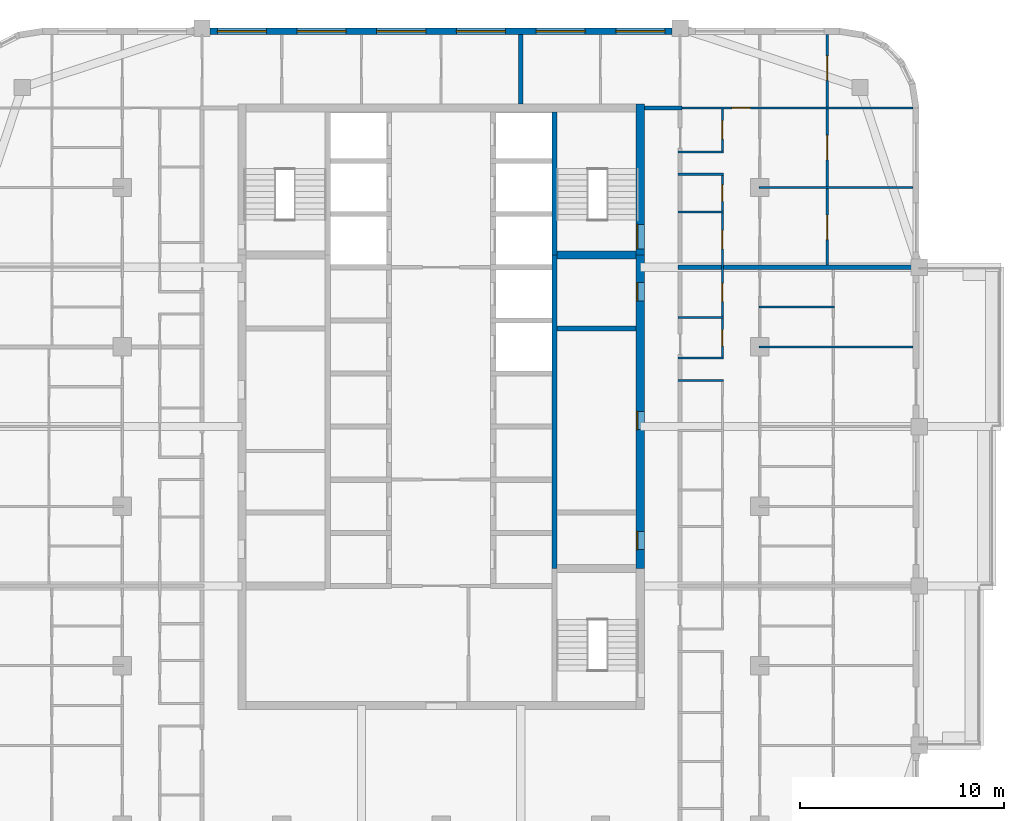
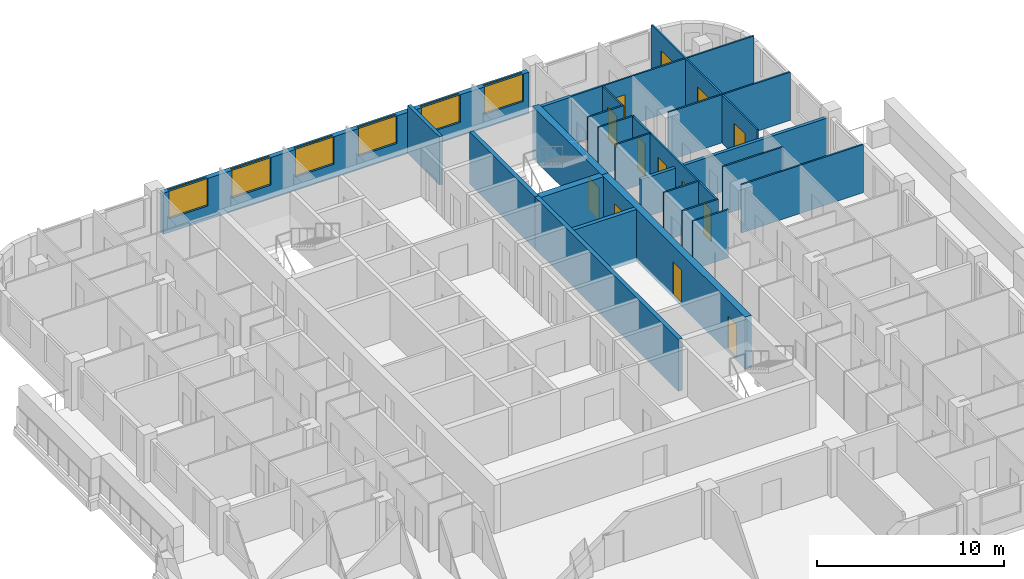
# One storey, part 11 of 17: 23 walls, 13 doors, 6 windows, 19 openings.
"""IFC4 building model written with IfcOpenShell, lengths in metres."""

from ifc_helpers import new_model, si_unit, direction, frame, frame_2d, origin, place, context, subcontext, project, spatial, rectangle, extrude, material, layer, layer_set, type_object, element, fill, save


model = new_model("IFC4")

# Units and contexts
model_context = context("Model", 3, precision=1e-05, world=origin(), true_north=direction((0.0, 1.0)))
body_context = subcontext(model_context, "Body", "Model", "MODEL_VIEW")
ifc_project = project(units=[si_unit("LENGTHUNIT", "METRE"), si_unit("AREAUNIT", "SQUARE_METRE"), si_unit("VOLUMEUNIT", "CUBIC_METRE"), si_unit("PLANEANGLEUNIT", "RADIAN"), si_unit("MASSUNIT", "GRAM", prefix="KILO")], contexts=[model_context])

# Site, building, storey
site_placement = place(None, origin())
site = spatial("IfcSite", under=ifc_project, at=site_placement, CompositionType="ELEMENT")
building_placement = place(site_placement, origin())
building = spatial("IfcBuilding", under=site, at=building_placement, Name="Ludao Terraces", CompositionType="ELEMENT")
storey_placement = place(building_placement, frame((0.0, 0.0, 231.300048828125)))
storey = spatial("IfcBuildingStorey", under=building, at=storey_placement, Name="L63", CompositionType="ELEMENT", Elevation=231.300048828125)

# Wall, openings, doors
ifc_material_1 = material(Name="Concrete C50", Category="concrete")
ifc_layer_1 = layer(ifc_material_1, 0.39990234375)
ifc_layer_set_1 = layer_set([ifc_layer_1], Name="Core wall 400 C50")
wall_type_1 = type_object("IfcWallType", Name="Core wall 400 C50", PredefinedType="SOLIDWALL", material=ifc_layer_set_1)
wall_1_placement = place(storey_placement, frame((94.75, 61.949951171875, -0.25), z_axis=(0.0, 0.0, 1.0), x_axis=(0.0, 1.0, 0.0)))
wall_1 = element("IfcWall", 1, at=wall_1_placement, inside=storey, type_object=wall_type_1, Name="Core wall L63 outer-E", PredefinedType="SOLIDWALL", context=body_context, shape_type="SweptSolid", body=[
    extrude(rectangle(XDim=15.35009765625, YDim=0.39990234375, at=frame_2d((7.675048828125, 0.0))), origin(), (0.0, 0.0, 1.0), 3.39990234375),
])
opening_1_placement = place(wall_1_placement, frame((0.925048828125, 0.0, 0.25)))
opening_1 = element("IfcOpeningElement", 2, at=opening_1_placement, cuts=wall_1, Name="Opening R22-055", PredefinedType="OPENING", context=body_context, shape_type="SweptSolid", body=[
    extrude(rectangle(XDim=0.89990234375, YDim=2.10009765625, at=frame_2d((0.449951171875, 1.050048828125))), frame((0.0, 0.2099609375, 0.0), z_axis=(0.0, -1.0, 0.0), x_axis=(1.0, 0.0, 0.0)), (0.0, 0.0, 1.0), 0.419921875),
])
opening_2_placement = place(wall_1_placement, frame((6.800048828125, 0.0, 0.25)))
opening_2 = element("IfcOpeningElement", 3, at=opening_2_placement, cuts=wall_1, Name="Opening R22-076", PredefinedType="OPENING", context=body_context, shape_type="SweptSolid", body=[
    extrude(rectangle(XDim=0.89990234375, YDim=2.10009765625, at=frame_2d((0.449951171875, 1.050048828125))), frame((0.0, 0.2099609375, 0.0), z_axis=(0.0, -1.0, 0.0), x_axis=(1.0, 0.0, 0.0)), (0.0, 0.0, 1.0), 0.419921875),
])
opening_3_placement = place(wall_1_placement, frame((13.10009765625, 0.0, 0.25)))
opening_3 = element("IfcOpeningElement", 4, at=opening_3_placement, cuts=wall_1, Name="Opening R22-098", PredefinedType="OPENING", context=body_context, shape_type="SweptSolid", body=[
    extrude(rectangle(XDim=0.89990234375, YDim=2.10009765625, at=frame_2d((0.449951171875, 1.050048828125))), frame((0.0, 0.2099609375, 0.0), z_axis=(0.0, -1.0, 0.0), x_axis=(1.0, 0.0, 0.0)), (0.0, 0.0, 1.0), 0.419921875),
])
ifc_material_2 = material(Name="Steel Q235", Category="steel")
door_type_1 = type_object("IfcDoorType", Name="INT Riser door 900", OperationType="SINGLE_SWING_LEFT", PredefinedType="DOOR", material=ifc_material_2)
door_1_placement = place(opening_1_placement, origin())
door_1 = element("IfcDoor", 5, at=door_1_placement, inside=storey, type_object=door_type_1, Name="DOOR 055", OperationType="SINGLE_SWING_LEFT", OverallHeight=2.10009765625, OverallWidth=0.89990234375, PredefinedType="DOOR", context=body_context, shape_type="SweptSolid", body=[
    extrude(rectangle(XDim=0.89990234375, YDim=2.10009765625, at=frame_2d((0.449951171875, 1.050048828125))), frame((0.0, 0.18505859375, 0.0), z_axis=(0.0, -1.0, 0.0), x_axis=(1.0, 0.0, 0.0)), (0.0, 0.0, 1.0), 0.050048828125),
])
fill(opening_1, door_1)
door_2_placement = place(opening_3_placement, origin())
door_2 = element("IfcDoor", 6, at=door_2_placement, inside=storey, type_object=door_type_1, Name="DOOR 098", OperationType="SINGLE_SWING_RIGHT", OverallHeight=2.10009765625, OverallWidth=0.89990234375, PredefinedType="DOOR", context=body_context, shape_type="SweptSolid", body=[
    extrude(rectangle(XDim=0.89990234375, YDim=2.10009765625, at=frame_2d((0.449951171875, 1.050048828125))), frame((0.0, 0.18505859375, 0.0), z_axis=(0.0, -1.0, 0.0), x_axis=(1.0, 0.0, 0.0)), (0.0, 0.0, 1.0), 0.050048828125),
])
fill(opening_3, door_2)
ifc_material_3 = material(Name="Timber door leaf", Category="wood")
door_type_2 = type_object("IfcDoorType", Name="INT Room door 900", OperationType="SINGLE_SWING_LEFT", PredefinedType="DOOR", material=ifc_material_3)
door_3_placement = place(opening_2_placement, origin())
door_3 = element("IfcDoor", 7, at=door_3_placement, inside=storey, type_object=door_type_2, Name="DOOR 076", OperationType="SINGLE_SWING_LEFT", OverallHeight=2.10009765625, OverallWidth=0.89990234375, PredefinedType="DOOR", context=body_context, shape_type="SweptSolid", body=[
    extrude(rectangle(XDim=0.89990234375, YDim=2.10009765625, at=frame_2d((0.449951171875, 1.050048828125))), frame((0.0, 0.18505859375, 0.0), z_axis=(0.0, -1.0, 0.0), x_axis=(1.0, 0.0, 0.0)), (0.0, 0.0, 1.0), 0.050048828125),
])
fill(opening_2, door_3)

# Wall, opening, door
wall_2_placement = place(storey_placement, frame((94.75, 77.300048828125, -0.25), z_axis=(0.0, 0.0, 1.0), x_axis=(0.0, 1.0, 0.0)))
wall_2 = element("IfcWall", 8, at=wall_2_placement, inside=storey, type_object=wall_type_1, Name="Core wall L63 outer-E-S2", PredefinedType="SOLIDWALL", context=body_context, shape_type="SweptSolid", body=[
    extrude(rectangle(XDim=7.39990234375, YDim=0.39990234375, at=frame_2d((3.699951171875, 0.0))), origin(), (0.0, 0.0, 1.0), 3.39990234375),
])
opening_4_placement = place(wall_2_placement, frame((0.300048828125, 0.0, 0.25)))
opening_4 = element("IfcOpeningElement", 9, at=opening_4_placement, cuts=wall_2, Name="Opening R22-110", PredefinedType="OPENING", context=body_context, shape_type="SweptSolid", body=[
    extrude(rectangle(XDim=1.199951171875, YDim=2.10009765625, at=frame_2d((0.60009765625, 1.050048828125))), frame((0.0, 0.2099609375, 0.0), z_axis=(0.0, -1.0, 0.0), x_axis=(1.0, 0.0, 0.0)), (0.0, 0.0, 1.0), 0.419921875),
])
door_type_3 = type_object("IfcDoorType", Name="INT Stair door 1200", OperationType="DOUBLE_DOOR_SINGLE_SWING", PredefinedType="DOOR", material=ifc_material_2)
door_4_placement = place(opening_4_placement, origin())
door_4 = element("IfcDoor", 10, at=door_4_placement, inside=storey, type_object=door_type_3, Name="DOOR 110", OperationType="DOUBLE_DOOR_SINGLE_SWING", OverallHeight=2.10009765625, OverallWidth=1.199951171875, PredefinedType="DOOR", context=body_context, shape_type="SweptSolid", body=[
    extrude(rectangle(XDim=1.199951171875, YDim=2.10009765625, at=frame_2d((0.60009765625, 1.050048828125))), frame((0.0, 0.18505859375, 0.0), z_axis=(0.0, -1.0, 0.0), x_axis=(1.0, 0.0, 0.0)), (0.0, 0.0, 1.0), 0.050048828125),
])
fill(opening_4, door_4)

# Wall, openings, windows
ifc_material_4 = material(Name="Granite cladding", Category="masonry")
ifc_layer_2 = layer(ifc_material_4, 0.0400390625, Category="stone")
ifc_material_5 = material(Name="Mineral wool")
ifc_layer_3 = layer(ifc_material_5, 0.06005859375)
ifc_material_6 = material(Name="Concrete C40", Category="concrete")
ifc_layer_4 = layer(ifc_material_6, 0.199951171875, Category="concrete")
ifc_layer_set_2 = layer_set([ifc_layer_2, ifc_layer_3, ifc_layer_4], Name="ENV Stone-clad wall 300")
wall_type_2 = type_object("IfcWallType", Name="ENV Stone-clad wall 300", PredefinedType="SOLIDWALL", material=ifc_layer_set_2)
wall_3_placement = place(storey_placement, frame((73.699951171875, 88.25, 0.0), z_axis=(0.0, 0.0, 1.0), x_axis=(1.0, 0.0, 0.0)))
wall_3 = element("IfcWall", 11, at=wall_3_placement, inside=storey, type_object=wall_type_2, Name="EW-L63-N2", PredefinedType="SOLIDWALL", context=body_context, shape_type="SweptSolid", body=[
    extrude(rectangle(XDim=22.60009765625, YDim=0.300048828125, at=frame_2d((11.300048828125, 0.0))), origin(), (0.0, 0.0, 1.0), 2.699951171875),
])
opening_5_placement = place(wall_3_placement, frame((0.35009765625, 0.0, 0.89990234375)))
opening_5 = element("IfcOpeningElement", 12, at=opening_5_placement, cuts=wall_3, Name="Opening W1", PredefinedType="OPENING", context=body_context, shape_type="SweptSolid", body=[
    extrude(rectangle(XDim=2.39990234375, YDim=1.800048828125, at=frame_2d((1.199951171875, 0.89990234375))), frame((0.0, 0.16015625, 0.0), z_axis=(0.0, -1.0, 0.0), x_axis=(1.0, 0.0, 0.0)), (0.0, 0.0, 1.0), 0.320068359375),
])
opening_6_placement = place(wall_3_placement, frame((4.25, 0.0, 0.89990234375)))
opening_6 = element("IfcOpeningElement", 13, at=opening_6_placement, cuts=wall_3, Name="Opening W1", PredefinedType="OPENING", context=body_context, shape_type="SweptSolid", body=[
    extrude(rectangle(XDim=2.39990234375, YDim=1.800048828125, at=frame_2d((1.199951171875, 0.89990234375))), frame((0.0, 0.16015625, 0.0), z_axis=(0.0, -1.0, 0.0), x_axis=(1.0, 0.0, 0.0)), (0.0, 0.0, 1.0), 0.320068359375),
])
opening_7_placement = place(wall_3_placement, frame((8.14990234375, 0.0, 0.89990234375)))
opening_7 = element("IfcOpeningElement", 14, at=opening_7_placement, cuts=wall_3, Name="Opening W1", PredefinedType="OPENING", context=body_context, shape_type="SweptSolid", body=[
    extrude(rectangle(XDim=2.39990234375, YDim=1.800048828125, at=frame_2d((1.199951171875, 0.89990234375))), frame((0.0, 0.16015625, 0.0), z_axis=(0.0, -1.0, 0.0), x_axis=(1.0, 0.0, 0.0)), (0.0, 0.0, 1.0), 0.320068359375),
])
opening_8_placement = place(wall_3_placement, frame((12.050048828125, 0.0, 0.89990234375)))
opening_8 = element("IfcOpeningElement", 15, at=opening_8_placement, cuts=wall_3, Name="Opening W1", PredefinedType="OPENING", context=body_context, shape_type="SweptSolid", body=[
    extrude(rectangle(XDim=2.39990234375, YDim=1.800048828125, at=frame_2d((1.199951171875, 0.89990234375))), frame((0.0, 0.16015625, 0.0), z_axis=(0.0, -1.0, 0.0), x_axis=(1.0, 0.0, 0.0)), (0.0, 0.0, 1.0), 0.320068359375),
])
opening_9_placement = place(wall_3_placement, frame((15.949951171875, 0.0, 0.89990234375)))
opening_9 = element("IfcOpeningElement", 16, at=opening_9_placement, cuts=wall_3, Name="Opening W1", PredefinedType="OPENING", context=body_context, shape_type="SweptSolid", body=[
    extrude(rectangle(XDim=2.39990234375, YDim=1.800048828125, at=frame_2d((1.199951171875, 0.89990234375))), frame((0.0, 0.16015625, 0.0), z_axis=(0.0, -1.0, 0.0), x_axis=(1.0, 0.0, 0.0)), (0.0, 0.0, 1.0), 0.320068359375),
])
opening_10_placement = place(wall_3_placement, frame((19.85009765625, 0.0, 0.89990234375)))
opening_10 = element("IfcOpeningElement", 17, at=opening_10_placement, cuts=wall_3, Name="Opening W1", PredefinedType="OPENING", context=body_context, shape_type="SweptSolid", body=[
    extrude(rectangle(XDim=2.39990234375, YDim=1.800048828125, at=frame_2d((1.199951171875, 0.89990234375))), frame((0.0, 0.16015625, 0.0), z_axis=(0.0, -1.0, 0.0), x_axis=(1.0, 0.0, 0.0)), (0.0, 0.0, 1.0), 0.320068359375),
])
ifc_material_7 = material(Name="Clear glass in aluminium frame", Category="aluminium")
ifc_layer_5 = layer(ifc_material_7, 0.06005859375)
ifc_layer_set_3 = layer_set([ifc_layer_5], Name="ENV Window W1 2400x1800")
window_type = type_object("IfcWindowType", Name="ENV Window W1 2400x1800", PartitioningType="DOUBLE_PANEL_VERTICAL", PredefinedType="WINDOW", material=ifc_layer_set_3)
window_1_placement = place(opening_5_placement, origin())
window_1 = element("IfcWindow", 18, at=window_1_placement, inside=storey, type_object=window_type, Name="W-L63-N2-1", OverallHeight=1.800048828125, OverallWidth=2.39990234375, PartitioningType="DOUBLE_PANEL_VERTICAL", PredefinedType="WINDOW", context=body_context, shape_type="SweptSolid", body=[
    extrude(rectangle(XDim=2.39990234375, YDim=1.800048828125, at=frame_2d((1.199951171875, 0.89990234375))), frame((0.0, 0.030029296875, 0.0), z_axis=(0.0, -1.0, 0.0), x_axis=(1.0, 0.0, 0.0)), (0.0, 0.0, 1.0), 0.06005859375),
])
fill(opening_5, window_1)
window_2_placement = place(opening_6_placement, origin())
window_2 = element("IfcWindow", 19, at=window_2_placement, inside=storey, type_object=window_type, Name="W-L63-N2-2", OverallHeight=1.800048828125, OverallWidth=2.39990234375, PartitioningType="DOUBLE_PANEL_VERTICAL", PredefinedType="WINDOW", context=body_context, shape_type="SweptSolid", body=[
    extrude(rectangle(XDim=2.39990234375, YDim=1.800048828125, at=frame_2d((1.199951171875, 0.89990234375))), frame((0.0, 0.030029296875, 0.0), z_axis=(0.0, -1.0, 0.0), x_axis=(1.0, 0.0, 0.0)), (0.0, 0.0, 1.0), 0.06005859375),
])
fill(opening_6, window_2)
window_3_placement = place(opening_7_placement, origin())
window_3 = element("IfcWindow", 20, at=window_3_placement, inside=storey, type_object=window_type, Name="W-L63-N2-3", OverallHeight=1.800048828125, OverallWidth=2.39990234375, PartitioningType="DOUBLE_PANEL_VERTICAL", PredefinedType="WINDOW", context=body_context, shape_type="SweptSolid", body=[
    extrude(rectangle(XDim=2.39990234375, YDim=1.800048828125, at=frame_2d((1.199951171875, 0.89990234375))), frame((0.0, 0.030029296875, 0.0), z_axis=(0.0, -1.0, 0.0), x_axis=(1.0, 0.0, 0.0)), (0.0, 0.0, 1.0), 0.06005859375),
])
fill(opening_7, window_3)
window_4_placement = place(opening_8_placement, origin())
window_4 = element("IfcWindow", 21, at=window_4_placement, inside=storey, type_object=window_type, Name="W-L63-N2-4", OverallHeight=1.800048828125, OverallWidth=2.39990234375, PartitioningType="DOUBLE_PANEL_VERTICAL", PredefinedType="WINDOW", context=body_context, shape_type="SweptSolid", body=[
    extrude(rectangle(XDim=2.39990234375, YDim=1.800048828125, at=frame_2d((1.199951171875, 0.89990234375))), frame((0.0, 0.030029296875, 0.0), z_axis=(0.0, -1.0, 0.0), x_axis=(1.0, 0.0, 0.0)), (0.0, 0.0, 1.0), 0.06005859375),
])
fill(opening_8, window_4)
window_5_placement = place(opening_9_placement, origin())
window_5 = element("IfcWindow", 22, at=window_5_placement, inside=storey, type_object=window_type, Name="W-L63-N2-5", OverallHeight=1.800048828125, OverallWidth=2.39990234375, PartitioningType="DOUBLE_PANEL_VERTICAL", PredefinedType="WINDOW", context=body_context, shape_type="SweptSolid", body=[
    extrude(rectangle(XDim=2.39990234375, YDim=1.800048828125, at=frame_2d((1.199951171875, 0.89990234375))), frame((0.0, 0.030029296875, 0.0), z_axis=(0.0, -1.0, 0.0), x_axis=(1.0, 0.0, 0.0)), (0.0, 0.0, 1.0), 0.06005859375),
])
fill(opening_9, window_5)
window_6_placement = place(opening_10_placement, origin())
window_6 = element("IfcWindow", 23, at=window_6_placement, inside=storey, type_object=window_type, Name="W-L63-N2-6", OverallHeight=1.800048828125, OverallWidth=2.39990234375, PartitioningType="DOUBLE_PANEL_VERTICAL", PredefinedType="WINDOW", context=body_context, shape_type="SweptSolid", body=[
    extrude(rectangle(XDim=2.39990234375, YDim=1.800048828125, at=frame_2d((1.199951171875, 0.89990234375))), frame((0.0, 0.030029296875, 0.0), z_axis=(0.0, -1.0, 0.0), x_axis=(1.0, 0.0, 0.0)), (0.0, 0.0, 1.0), 0.06005859375),
])
fill(opening_10, window_6)

# Walls
ifc_material_8 = material(Name="Autoclaved aerated concrete block B06 A3.5", Category="concrete")
ifc_layer_6 = layer(ifc_material_8, 0.199951171875)
ifc_layer_set_4 = layer_set([ifc_layer_6], Name="INT Entrance wall 200")
wall_type_3 = type_object("IfcWallType", Name="INT Entrance wall 200", PredefinedType="PARTITIONING", material=ifc_layer_set_4)
wall_4_placement = place(storey_placement, frame((94.9501953125, 84.5, 0.0), z_axis=(0.0, 0.0, 1.0), x_axis=(1.0, 0.0, 0.0)))
element("IfcWall", 24, at=wall_4_placement, inside=storey, type_object=wall_type_3, Name="PW-L63-PW067", PredefinedType="PARTITIONING", context=body_context, shape_type="SweptSolid", body=[
    extrude(rectangle(XDim=1.849853515625, YDim=0.199951171875, at=frame_2d((0.9248046875, 0.0))), origin(), (0.0, 0.0, 1.0), 3.14990234375),
])
ifc_material_9 = material(Name="Gypsum plasterboard", Category="gypsum")
ifc_layer_7 = layer(ifc_material_9, 0.012451171875, Category="gypsum")
ifc_layer_8 = layer(ifc_material_5, 0.06005859375, Name="insulation")
ifc_layer_9 = layer(ifc_material_2, 0.014892578125, Name="stud")
ifc_layer_10 = layer(ifc_material_9, 0.012451171875, Category="gypsum")
ifc_layer_set_5 = layer_set([ifc_layer_7, ifc_layer_8, ifc_layer_9, ifc_layer_10], Name="INT Partition 100")
wall_type_4 = type_object("IfcWallType", Name="INT Partition 100", PredefinedType="PARTITIONING", material=ifc_layer_set_5)
for number, where, z_axis, x_axis, name in (
    (25, (96.60009765625, 71.14990234375, 0.0), (0.0, 0.0, 1.0), (1.0, 0.0, 0.0), "PW-L63-PW045"),
    (26, (96.60009765625, 72.25, 0.0), (0.0, 0.0, 1.0), (1.0, 0.0, 0.0), "PW-L63-PW046"),
):
    element("IfcWall", number, at=place(storey_placement, frame(where, z_axis=z_axis, x_axis=x_axis)), inside=storey, type_object=wall_type_4, Name=name, PredefinedType="PARTITIONING", context=body_context, shape_type="SweptSolid", body=[
        extrude(rectangle(XDim=2.219970703125, YDim=0.10009765625, at=frame_2d((1.10986328125, 0.0))), origin(), (0.0, 0.0, 1.0), 3.14990234375),
    ])
wall_5_placement = place(storey_placement, frame((100.550048828125, 72.800048828125, 0.0), z_axis=(0.0, 0.0, 1.0), x_axis=(1.0, 0.0, 0.0)))
element("IfcWall", 27, at=wall_5_placement, inside=storey, type_object=wall_type_4, Name="PW-L63-PW048", PredefinedType="PARTITIONING", context=body_context, shape_type="SweptSolid", body=[
    extrude(rectangle(XDim=7.550048828125, YDim=0.10009765625, at=frame_2d((3.77490234375, 0.0))), origin(), (0.0, 0.0, 1.0), 3.14990234375),
])
wall_6_placement = place(storey_placement, frame((96.60009765625, 74.22998046875, 0.0), z_axis=(0.0, 0.0, 1.0), x_axis=(1.0, 0.0, 0.0)))
element("IfcWall", 28, at=wall_6_placement, inside=storey, type_object=wall_type_4, Name="PW-L63-PW049", PredefinedType="PARTITIONING", context=body_context, shape_type="SweptSolid", body=[
    extrude(rectangle(XDim=2.219970703125, YDim=0.10009765625, at=frame_2d((1.10986328125, 0.0))), origin(), (0.0, 0.0, 1.0), 3.14990234375),
])
wall_7_placement = place(storey_placement, frame((100.550048828125, 74.75, 0.0), z_axis=(0.0, 0.0, 1.0), x_axis=(1.0, 0.0, 0.0)))
element("IfcWall", 29, at=wall_7_placement, inside=storey, type_object=wall_type_4, Name="PW-L63-PW052", PredefinedType="PARTITIONING", context=body_context, shape_type="SweptSolid", body=[
    extrude(rectangle(XDim=3.699951171875, YDim=0.10009765625, at=frame_2d((1.85009765625, 0.0))), origin(), (0.0, 0.0, 1.0), 3.14990234375),
])
wall_8_placement = place(storey_placement, frame((96.60009765625, 79.39990234375, 0.0), z_axis=(0.0, 0.0, 1.0), x_axis=(1.0, 0.0, 0.0)))
element("IfcWall", 30, at=wall_8_placement, inside=storey, type_object=wall_type_4, Name="PW-L63-PW058", PredefinedType="PARTITIONING", context=body_context, shape_type="SweptSolid", body=[
    extrude(rectangle(XDim=2.219970703125, YDim=0.10009765625, at=frame_2d((1.10986328125, 0.0))), origin(), (0.0, 0.0, 1.0), 3.14990234375),
])
wall_9_placement = place(storey_placement, frame((100.550048828125, 80.60009765625, 0.0), z_axis=(0.0, 0.0, 1.0), x_axis=(1.0, 0.0, 0.0)))
element("IfcWall", 31, at=wall_9_placement, inside=storey, type_object=wall_type_4, Name="PW-L63-PW060", PredefinedType="PARTITIONING", context=body_context, shape_type="SweptSolid", body=[
    extrude(rectangle(XDim=7.550048828125, YDim=0.10009765625, at=frame_2d((3.77490234375, 0.0))), origin(), (0.0, 0.0, 1.0), 3.14990234375),
])
for number, where, z_axis, x_axis, name in (
    (32, (96.60009765625, 81.25, 0.0), (0.0, 0.0, 1.0), (1.0, 0.0, 0.0), "PW-L63-PW061"),
    (33, (96.60009765625, 82.35009765625, 0.0), (0.0, 0.0, 1.0), (1.0, 0.0, 0.0), "PW-L63-PW063"),
):
    element("IfcWall", number, at=place(storey_placement, frame(where, z_axis=z_axis, x_axis=x_axis)), inside=storey, type_object=wall_type_4, Name=name, PredefinedType="PARTITIONING", context=body_context, shape_type="SweptSolid", body=[
        extrude(rectangle(XDim=2.219970703125, YDim=0.10009765625, at=frame_2d((1.10986328125, 0.0))), origin(), (0.0, 0.0, 1.0), 3.14990234375),
    ])

# Wall, opening, door
wall_10_placement = place(storey_placement, frame((96.60009765625, 84.5, 0.0), z_axis=(0.0, 0.0, 1.0), x_axis=(1.0, 0.0, 0.0)))
wall_10 = element("IfcWall", 34, at=wall_10_placement, inside=storey, type_object=wall_type_4, Name="PW-L63-PW068", PredefinedType="PARTITIONING", context=body_context, shape_type="SweptSolid", body=[
    extrude(rectangle(XDim=11.5, YDim=0.10009765625, at=frame_2d((5.75, 0.0))), origin(), (0.0, 0.0, 1.0), 3.14990234375),
])
opening_11_placement = place(wall_10_placement, frame((2.635009765625, 0.0, 0.0)))
opening_11 = element("IfcOpeningElement", 35, at=opening_11_placement, cuts=wall_10, Name="Opening R22-130", PredefinedType="OPENING", context=body_context, shape_type="SweptSolid", body=[
    extrude(rectangle(XDim=0.89990234375, YDim=2.10009765625, at=frame_2d((0.449951171875, 1.050048828125))), frame((0.0, 0.06005859375, 0.0), z_axis=(0.0, -1.0, 0.0), x_axis=(1.0, 0.0, 0.0)), (0.0, 0.0, 1.0), 0.1201171875),
])
door_5_placement = place(opening_11_placement, origin())
door_5 = element("IfcDoor", 36, at=door_5_placement, inside=storey, type_object=door_type_2, Name="DOOR 130", OperationType="SINGLE_SWING_LEFT", OverallHeight=2.10009765625, OverallWidth=0.89990234375, PredefinedType="DOOR", context=body_context, shape_type="SweptSolid", body=[
    extrude(rectangle(XDim=0.89990234375, YDim=2.10009765625, at=frame_2d((0.449951171875, 1.050048828125))), frame((0.0, 0.02490234375, 0.0), z_axis=(0.0, -1.0, 0.0), x_axis=(1.0, 0.0, 0.0)), (0.0, 0.0, 1.0), 0.050048828125),
])
fill(opening_11, door_5)

# Wall, openings, doors
wall_11_placement = place(storey_placement, frame((98.77001953125, 72.300048828125, 0.0), z_axis=(0.0, 0.0, 1.0), x_axis=(0.0, 1.0, 0.0)))
wall_11 = element("IfcWall", 37, at=wall_11_placement, inside=storey, type_object=wall_type_4, Name="PW-L63-PW093", PredefinedType="PARTITIONING", context=body_context, shape_type="SweptSolid", body=[
    extrude(rectangle(XDim=8.900146484375, YDim=0.10009765625, at=frame_2d((4.4501953125, 0.0))), origin(), (0.0, 0.0, 1.0), 3.14990234375),
])
opening_12_placement = place(wall_11_placement, frame((0.5400390625, 0.0, 0.0)))
opening_12 = element("IfcOpeningElement", 38, at=opening_12_placement, cuts=wall_11, Name="Opening R22-090", PredefinedType="OPENING", context=body_context, shape_type="SweptSolid", body=[
    extrude(rectangle(XDim=0.800048828125, YDim=2.10009765625, at=frame_2d((0.39990234375, 1.050048828125))), frame((0.0, 0.06005859375, 0.0), z_axis=(0.0, -1.0, 0.0), x_axis=(1.0, 0.0, 0.0)), (0.0, 0.0, 1.0), 0.1201171875),
])
opening_13_placement = place(wall_11_placement, frame((2.715087890625, 0.0, 0.0)))
opening_13 = element("IfcOpeningElement", 39, at=opening_13_placement, cuts=wall_11, Name="Opening R22-096", PredefinedType="OPENING", context=body_context, shape_type="SweptSolid", body=[
    extrude(rectangle(XDim=0.89990234375, YDim=2.10009765625, at=frame_2d((0.449951171875, 1.050048828125))), frame((0.0, 0.06005859375, 0.0), z_axis=(0.0, -1.0, 0.0), x_axis=(1.0, 0.0, 0.0)), (0.0, 0.0, 1.0), 0.1201171875),
])
opening_14_placement = place(wall_11_placement, frame((5.300048828125, 0.0, 0.0)))
opening_14 = element("IfcOpeningElement", 40, at=opening_14_placement, cuts=wall_11, Name="Opening R22-108", PredefinedType="OPENING", context=body_context, shape_type="SweptSolid", body=[
    extrude(rectangle(XDim=0.89990234375, YDim=2.10009765625, at=frame_2d((0.449951171875, 1.050048828125))), frame((0.0, 0.06005859375, 0.0), z_axis=(0.0, -1.0, 0.0), x_axis=(1.0, 0.0, 0.0)), (0.0, 0.0, 1.0), 0.1201171875),
])
opening_15_placement = place(wall_11_placement, frame((7.625, 0.0, 0.0)))
opening_15 = element("IfcOpeningElement", 41, at=opening_15_placement, cuts=wall_11, Name="Opening R22-116", PredefinedType="OPENING", context=body_context, shape_type="SweptSolid", body=[
    extrude(rectangle(XDim=0.800048828125, YDim=2.10009765625, at=frame_2d((0.39990234375, 1.050048828125))), frame((0.0, 0.06005859375, 0.0), z_axis=(0.0, -1.0, 0.0), x_axis=(1.0, 0.0, 0.0)), (0.0, 0.0, 1.0), 0.1201171875),
])
door_6_placement = place(opening_13_placement, origin())
door_6 = element("IfcDoor", 42, at=door_6_placement, inside=storey, type_object=door_type_2, Name="DOOR 096", OperationType="SINGLE_SWING_RIGHT", OverallHeight=2.10009765625, OverallWidth=0.89990234375, PredefinedType="DOOR", context=body_context, shape_type="SweptSolid", body=[
    extrude(rectangle(XDim=0.89990234375, YDim=2.10009765625, at=frame_2d((0.449951171875, 1.050048828125))), frame((0.0, 0.02490234375, 0.0), z_axis=(0.0, -1.0, 0.0), x_axis=(1.0, 0.0, 0.0)), (0.0, 0.0, 1.0), 0.050048828125),
])
fill(opening_13, door_6)
door_7_placement = place(opening_14_placement, origin())
door_7 = element("IfcDoor", 43, at=door_7_placement, inside=storey, type_object=door_type_2, Name="DOOR 108", OperationType="SINGLE_SWING_LEFT", OverallHeight=2.10009765625, OverallWidth=0.89990234375, PredefinedType="DOOR", context=body_context, shape_type="SweptSolid", body=[
    extrude(rectangle(XDim=0.89990234375, YDim=2.10009765625, at=frame_2d((0.449951171875, 1.050048828125))), frame((0.0, 0.02490234375, 0.0), z_axis=(0.0, -1.0, 0.0), x_axis=(1.0, 0.0, 0.0)), (0.0, 0.0, 1.0), 0.050048828125),
])
fill(opening_14, door_7)
door_type_4 = type_object("IfcDoorType", Name="INT Store door 800", OperationType="SINGLE_SWING_LEFT", PredefinedType="DOOR", material=ifc_material_3)
door_8_placement = place(opening_12_placement, origin())
door_8 = element("IfcDoor", 44, at=door_8_placement, inside=storey, type_object=door_type_4, Name="DOOR 090", OperationType="SINGLE_SWING_LEFT", OverallHeight=2.10009765625, OverallWidth=0.800048828125, PredefinedType="DOOR", context=body_context, shape_type="SweptSolid", body=[
    extrude(rectangle(XDim=0.800048828125, YDim=2.10009765625, at=frame_2d((0.39990234375, 1.050048828125))), frame((0.0, 0.02490234375, 0.0), z_axis=(0.0, -1.0, 0.0), x_axis=(1.0, 0.0, 0.0)), (0.0, 0.0, 1.0), 0.050048828125),
])
fill(opening_12, door_8)
door_9_placement = place(opening_15_placement, origin())
door_9 = element("IfcDoor", 45, at=door_9_placement, inside=storey, type_object=door_type_4, Name="DOOR 116", OperationType="SINGLE_SWING_LEFT", OverallHeight=2.10009765625, OverallWidth=0.800048828125, PredefinedType="DOOR", context=body_context, shape_type="SweptSolid", body=[
    extrude(rectangle(XDim=0.800048828125, YDim=2.10009765625, at=frame_2d((0.39990234375, 1.050048828125))), frame((0.0, 0.02490234375, 0.0), z_axis=(0.0, -1.0, 0.0), x_axis=(1.0, 0.0, 0.0)), (0.0, 0.0, 1.0), 0.050048828125),
])
fill(opening_15, door_9)

# Wall, opening, door
wall_12_placement = place(storey_placement, frame((98.77001953125, 82.400146484375, 0.0), z_axis=(0.0, 0.0, 1.0), x_axis=(0.0, 1.0, 0.0)))
wall_12 = element("IfcWall", 46, at=wall_12_placement, inside=storey, type_object=wall_type_4, Name="PW-L63-PW094", PredefinedType="PARTITIONING", context=body_context, shape_type="SweptSolid", body=[
    extrude(rectangle(XDim=2.050048828125, YDim=0.10009765625, at=frame_2d((1.02490234375, 0.0))), origin(), (0.0, 0.0, 1.0), 3.14990234375),
])
opening_16_placement = place(wall_12_placement, frame((0.574951171875, 0.0, 0.0)))
opening_16 = element("IfcOpeningElement", 47, at=opening_16_placement, cuts=wall_12, Name="Opening R22-126", PredefinedType="OPENING", context=body_context, shape_type="SweptSolid", body=[
    extrude(rectangle(XDim=0.89990234375, YDim=2.10009765625, at=frame_2d((0.449951171875, 1.050048828125))), frame((0.0, 0.06005859375, 0.0), z_axis=(0.0, -1.0, 0.0), x_axis=(1.0, 0.0, 0.0)), (0.0, 0.0, 1.0), 0.1201171875),
])
door_type_5 = type_object("IfcDoorType", Name="INT Bathroom door 900", OperationType="SINGLE_SWING_LEFT", PredefinedType="DOOR", material=ifc_material_3)
door_10_placement = place(opening_16_placement, origin())
door_10 = element("IfcDoor", 48, at=door_10_placement, inside=storey, type_object=door_type_5, Name="DOOR 126", OperationType="SINGLE_SWING_LEFT", OverallHeight=2.10009765625, OverallWidth=0.89990234375, PredefinedType="DOOR", context=body_context, shape_type="SweptSolid", body=[
    extrude(rectangle(XDim=0.89990234375, YDim=2.10009765625, at=frame_2d((0.449951171875, 1.050048828125))), frame((0.0, 0.02490234375, 0.0), z_axis=(0.0, -1.0, 0.0), x_axis=(1.0, 0.0, 0.0)), (0.0, 0.0, 1.0), 0.050048828125),
])
fill(opening_16, door_10)

# Wall, openings, doors
wall_13_placement = place(storey_placement, frame((103.89990234375, 76.800048828125, 0.0), z_axis=(0.0, 0.0, 1.0), x_axis=(0.0, 1.0, 0.0)))
wall_13 = element("IfcWall", 49, at=wall_13_placement, inside=storey, type_object=wall_type_4, Name="PW-L63-PW096", PredefinedType="PARTITIONING", context=body_context, shape_type="SweptSolid", body=[
    extrude(rectangle(XDim=11.300048828125, YDim=0.10009765625, at=frame_2d((5.64990234375, 0.0))), origin(), (0.0, 0.0, 1.0), 3.14990234375),
])
opening_17_placement = place(wall_13_placement, frame((1.25, 0.0, 0.0)))
opening_17 = element("IfcOpeningElement", 50, at=opening_17_placement, cuts=wall_13, Name="Opening R22-114", PredefinedType="OPENING", context=body_context, shape_type="SweptSolid", body=[
    extrude(rectangle(XDim=1.199951171875, YDim=2.10009765625, at=frame_2d((0.60009765625, 1.050048828125))), frame((0.0, 0.06005859375, 0.0), z_axis=(0.0, -1.0, 0.0), x_axis=(1.0, 0.0, 0.0)), (0.0, 0.0, 1.0), 0.1201171875),
])
opening_18_placement = place(wall_13_placement, frame((5.14990234375, 0.0, 0.0)))
opening_18 = element("IfcOpeningElement", 51, at=opening_18_placement, cuts=wall_13, Name="Opening R22-121", PredefinedType="OPENING", context=body_context, shape_type="SweptSolid", body=[
    extrude(rectangle(XDim=1.199951171875, YDim=2.10009765625, at=frame_2d((0.60009765625, 1.050048828125))), frame((0.0, 0.06005859375, 0.0), z_axis=(0.0, -1.0, 0.0), x_axis=(1.0, 0.0, 0.0)), (0.0, 0.0, 1.0), 0.1201171875),
])
opening_19_placement = place(wall_13_placement, frame((9.050048828125, 0.0, 0.0)))
opening_19 = element("IfcOpeningElement", 52, at=opening_19_placement, cuts=wall_13, Name="Opening R22-140", PredefinedType="OPENING", context=body_context, shape_type="SweptSolid", body=[
    extrude(rectangle(XDim=1.199951171875, YDim=2.10009765625, at=frame_2d((0.60009765625, 1.050048828125))), frame((0.0, 0.06005859375, 0.0), z_axis=(0.0, -1.0, 0.0), x_axis=(1.0, 0.0, 0.0)), (0.0, 0.0, 1.0), 0.1201171875),
])
door_type_6 = type_object("IfcDoorType", Name="INT Double door 1200", OperationType="DOUBLE_DOOR_SINGLE_SWING", PredefinedType="DOOR", material=ifc_material_3)
door_11_placement = place(opening_17_placement, origin())
door_11 = element("IfcDoor", 53, at=door_11_placement, inside=storey, type_object=door_type_6, Name="DOOR 114", OperationType="DOUBLE_DOOR_SINGLE_SWING", OverallHeight=2.10009765625, OverallWidth=1.199951171875, PredefinedType="DOOR", context=body_context, shape_type="SweptSolid", body=[
    extrude(rectangle(XDim=1.199951171875, YDim=2.10009765625, at=frame_2d((0.60009765625, 1.050048828125))), frame((0.0, 0.02490234375, 0.0), z_axis=(0.0, -1.0, 0.0), x_axis=(1.0, 0.0, 0.0)), (0.0, 0.0, 1.0), 0.050048828125),
])
fill(opening_17, door_11)
door_12_placement = place(opening_18_placement, origin())
door_12 = element("IfcDoor", 54, at=door_12_placement, inside=storey, type_object=door_type_6, Name="DOOR 121", OperationType="DOUBLE_DOOR_SINGLE_SWING", OverallHeight=2.10009765625, OverallWidth=1.199951171875, PredefinedType="DOOR", context=body_context, shape_type="SweptSolid", body=[
    extrude(rectangle(XDim=1.199951171875, YDim=2.10009765625, at=frame_2d((0.60009765625, 1.050048828125))), frame((0.0, 0.02490234375, 0.0), z_axis=(0.0, -1.0, 0.0), x_axis=(1.0, 0.0, 0.0)), (0.0, 0.0, 1.0), 0.050048828125),
])
fill(opening_18, door_12)
door_13_placement = place(opening_19_placement, origin())
door_13 = element("IfcDoor", 55, at=door_13_placement, inside=storey, type_object=door_type_6, Name="DOOR 140", OperationType="DOUBLE_DOOR_SINGLE_SWING", OverallHeight=2.10009765625, OverallWidth=1.199951171875, PredefinedType="DOOR", context=body_context, shape_type="SweptSolid", body=[
    extrude(rectangle(XDim=1.199951171875, YDim=2.10009765625, at=frame_2d((0.60009765625, 1.050048828125))), frame((0.0, 0.02490234375, 0.0), z_axis=(0.0, -1.0, 0.0), x_axis=(1.0, 0.0, 0.0)), (0.0, 0.0, 1.0), 0.050048828125),
])
fill(opening_19, door_13)

# Walls
ifc_layer_11 = layer(ifc_material_8, 0.199951171875)
ifc_layer_set_6 = layer_set([ifc_layer_11], Name="INT Party wall 200")
wall_type_5 = type_object("IfcWallType", Name="INT Party wall 200", PredefinedType="PARTITIONING", material=ifc_layer_set_6)
wall_14_placement = place(storey_placement, frame((96.60009765625, 76.699951171875, 0.0), z_axis=(0.0, 0.0, 1.0), x_axis=(1.0, 0.0, 0.0)))
element("IfcWall", 56, at=wall_14_placement, inside=storey, type_object=wall_type_5, Name="PW-L63-PW056", PredefinedType="PARTITIONING", context=body_context, shape_type="SweptSolid", body=[
    extrude(rectangle(XDim=11.5, YDim=0.199951171875, at=frame_2d((5.75, 0.0))), origin(), (0.0, 0.0, 1.0), 2.5498046875),
])
wall_15_placement = place(storey_placement, frame((88.89990234375, 84.7001953125, 0.0), z_axis=(0.0, 0.0, 1.0), x_axis=(0.0, 1.0, 0.0)))
element("IfcWall", 57, at=wall_15_placement, inside=storey, type_object=wall_type_5, Name="PW-L63-PW085", PredefinedType="PARTITIONING", context=body_context, shape_type="SweptSolid", body=[
    extrude(rectangle(XDim=3.39990234375, YDim=0.199951171875, at=frame_2d((1.699951171875, 0.0))), origin(), (0.0, 0.0, 1.0), 3.14990234375),
])
ifc_layer_12 = layer(ifc_material_1, 0.25)
ifc_layer_set_7 = layer_set([ifc_layer_12], Name="Shaft wall 250 C50")
wall_type_6 = type_object("IfcWallType", Name="Shaft wall 250 C50", PredefinedType="SOLIDWALL", material=ifc_layer_set_7)
wall_16_placement = place(storey_placement, frame((90.550048828125, 61.949951171875, -0.25), z_axis=(0.0, 0.0, 1.0), x_axis=(0.0, 1.0, 0.0)))
element("IfcWall", 58, at=wall_16_placement, inside=storey, type_object=wall_type_6, Name="Core wall L63 back-E", PredefinedType="SOLIDWALL", context=body_context, shape_type="SweptSolid", body=[
    extrude(rectangle(XDim=15.35009765625, YDim=0.25, at=frame_2d((7.675048828125, 0.0))), origin(), (0.0, 0.0, 1.0), 3.39990234375),
])
wall_17_placement = place(storey_placement, frame((90.550048828125, 77.300048828125, -0.25), z_axis=(0.0, 0.0, 1.0), x_axis=(0.0, 1.0, 0.0)))
element("IfcWall", 59, at=wall_17_placement, inside=storey, type_object=wall_type_6, Name="Core wall L63 back-E-S2", PredefinedType="SOLIDWALL", context=body_context, shape_type="SweptSolid", body=[
    extrude(rectangle(XDim=7.0, YDim=0.25, at=frame_2d((3.5, 0.0))), origin(), (0.0, 0.0, 1.0), 3.39990234375),
])
wall_18_placement = place(storey_placement, frame((90.675048828125, 73.699951171875, -0.25), z_axis=(0.0, 0.0, 1.0), x_axis=(1.0, 0.0, 0.0)))
element("IfcWall", 60, at=wall_18_placement, inside=storey, type_object=wall_type_6, Name="Core wall L63 riser-b-E", PredefinedType="SOLIDWALL", context=body_context, shape_type="SweptSolid", body=[
    extrude(rectangle(XDim=3.875, YDim=0.25, at=frame_2d((1.9375, 0.0))), origin(), (0.0, 0.0, 1.0), 3.39990234375),
])
ifc_layer_13 = layer(ifc_material_1, 0.39990234375)
ifc_layer_set_8 = layer_set([ifc_layer_13], Name="Shaft wall 400 C50")
wall_type_7 = type_object("IfcWallType", Name="Shaft wall 400 C50", PredefinedType="SOLIDWALL", material=ifc_layer_set_8)
wall_19_placement = place(storey_placement, frame((90.675048828125, 77.300048828125, -0.25), z_axis=(0.0, 0.0, 1.0), x_axis=(1.0, 0.0, 0.0)))
element("IfcWall", 61, at=wall_19_placement, inside=storey, type_object=wall_type_7, Name="Core wall L63 stair-E", PredefinedType="SOLIDWALL", context=body_context, shape_type="SweptSolid", body=[
    extrude(rectangle(XDim=3.875, YDim=0.39990234375, at=frame_2d((1.9375, 0.0))), origin(), (0.0, 0.0, 1.0), 3.39990234375),
])

save(model, "model.ifc")
